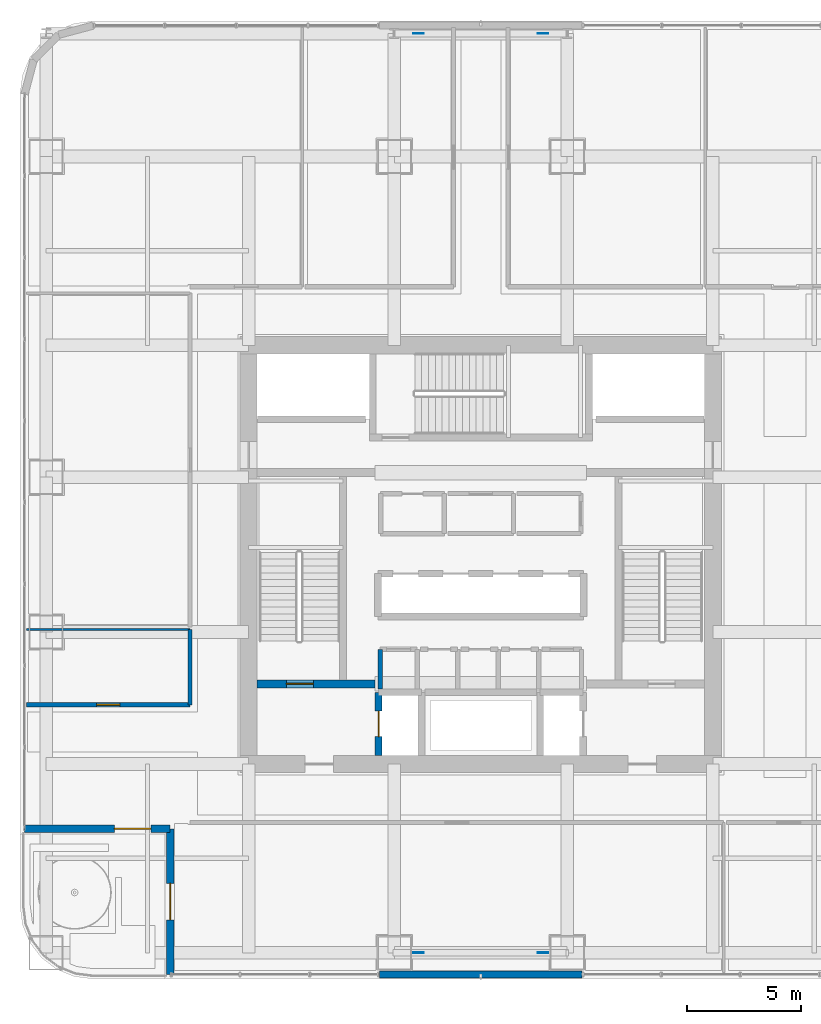
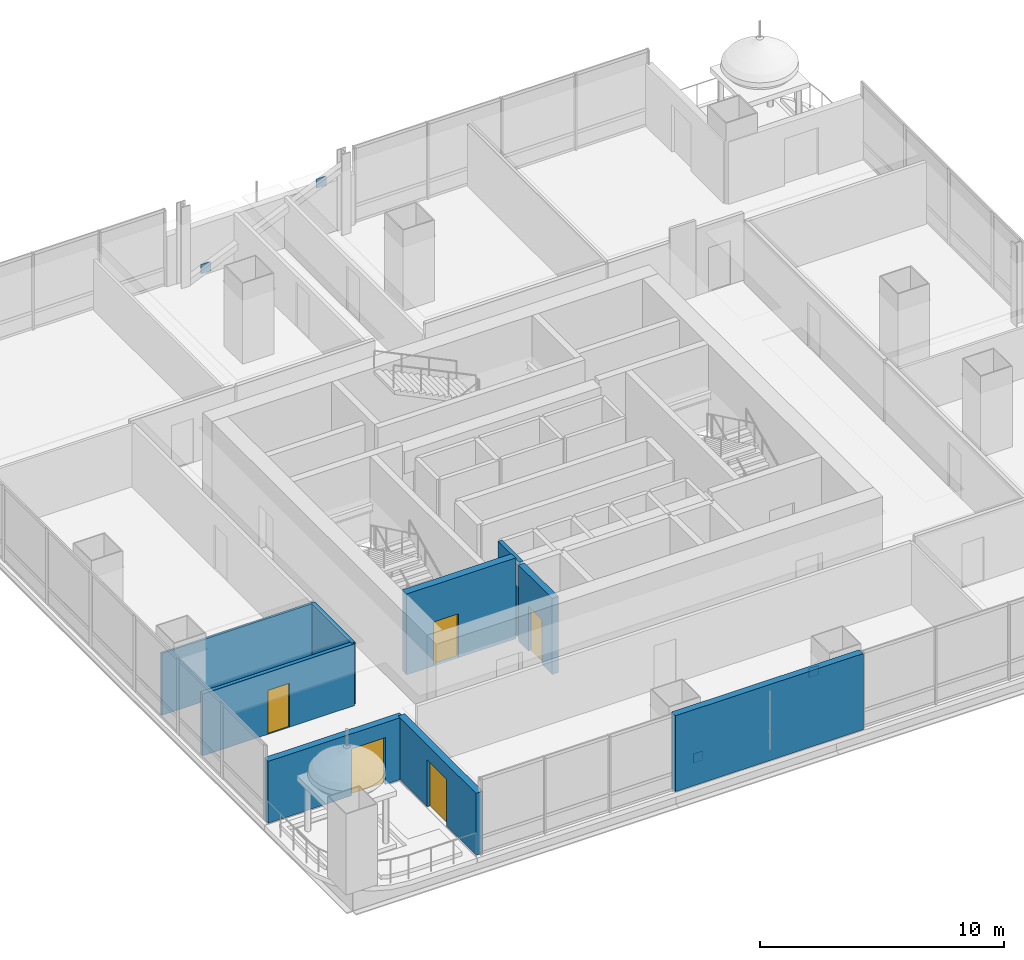
# One storey, part 25 of 37: 9 walls, 5 doors, 4 plates, 5 openings.
"""IFC4 building model written with IfcOpenShell, lengths in metres."""

from ifc_helpers import new_model, si_unit, direction, frame, frame_2d, origin, origin_2d, place, context, subcontext, project, spatial, rectangle, extrude, material, layer, layer_set, type_object, element, fill, save


model = new_model("IFC4")

# Units and contexts
model_context = context("Model", 3, precision=1e-05, world=origin(), true_north=direction((0.0, 1.0)))
body_context = subcontext(model_context, "Body", "Model", "MODEL_VIEW")
ifc_project = project(units=[si_unit("LENGTHUNIT", "METRE"), si_unit("AREAUNIT", "SQUARE_METRE"), si_unit("VOLUMEUNIT", "CUBIC_METRE"), si_unit("PLANEANGLEUNIT", "RADIAN"), si_unit("MASSUNIT", "GRAM", prefix="KILO")], contexts=[model_context])

# Site, building, storey
site_placement = place(None, origin())
site = spatial("IfcSite", under=ifc_project, at=site_placement, CompositionType="ELEMENT")
building_placement = place(site_placement, origin())
building = spatial("IfcBuilding", under=site, at=building_placement, Name="Punatoya Terracotta Tower", CompositionType="ELEMENT")
storey_placement = place(building_placement, frame((0.0, 0.0, 109.199951171875)))
storey = spatial("IfcBuildingStorey", under=building, at=storey_placement, Name="L25", CompositionType="ELEMENT", Elevation=109.199951171875)

# Plates
ifc_material_1 = material(Name="Steel S460", Category="steel")
ifc_layer_1 = layer(ifc_material_1, 0.031982421875)
ifc_layer_set_1 = layer_set([ifc_layer_1], Name="Steel S460")
plate_type = type_object("IfcPlateType", Name="PLT-END-32", PredefinedType="USERDEFINED", material=ifc_layer_set_1)
for number, where, z_axis, x_axis, name in (
    (1, (-2.736083984375, -17.5, 0.250732421875), (0.0, 0.0, 1.0), (1.0, 0.0, 0.0), "L25 Wind Brace S2 End Plate 1"),
    (2, (2.736083984375, -17.5, 2.619384765625), (0.0, 0.0, 1.0), (1.0, 0.0, 0.0), "L25 Wind Brace S2 End Plate 2"),
    (3, (-2.736083984375, 22.89990234375, 0.250732421875), (0.0, 0.0, 1.0), (1.0, 0.0, 0.0), "L25 Wind Brace N2 End Plate 1"),
    (4, (2.736083984375, 22.89990234375, 2.619384765625), (0.0, 0.0, 1.0), (1.0, 0.0, 0.0), "L25 Wind Brace N2 End Plate 2"),
):
    element("IfcPlate", number, at=place(storey_placement, frame(where, z_axis=z_axis, x_axis=x_axis)), inside=storey, type_object=plate_type, Name=name, ObjectType="FLANGE_PLATE", PredefinedType="USERDEFINED", context=body_context, shape_type="SweptSolid", body=[
        extrude(rectangle(XDim=0.4599609375, YDim=0.031982421875, at=origin_2d()), origin(), (0.0, 0.0, 1.0), 0.4599609375),
    ])

# Wall, opening, door
ifc_material_2 = material(Name="Gypsum Fireboard + Steel Stud", Category="steel")
ifc_layer_2 = layer(ifc_material_2, 0.179931640625)
ifc_layer_set_2 = layer_set([ifc_layer_2], Name="Gypsum Fireboard + Steel Stud")
wall_type_1 = type_object("IfcWallType", Name="WL-CORR-180", PredefinedType="PARTITIONING", material=ifc_layer_set_2)
wall_1_placement = place(storey_placement, frame((-12.77001953125, -6.60009765625, 0.0), z_axis=(0.0, 0.0, 1.0), x_axis=(-1.0, 0.0, 0.0)))
wall_1 = element("IfcWall", 5, at=wall_1_placement, inside=storey, type_object=wall_type_1, Name="L25 Open-Plan Client Strategy Boardroom Partition 28", PredefinedType="PARTITIONING", context=body_context, shape_type="SweptSolid", body=[
    extrude(rectangle(XDim=7.199951171875, YDim=0.179931640625, at=frame_2d((3.60009765625, 0.0))), origin(), (0.0, 0.0, 1.0), 3.10400390625),
])
opening_1_placement = place(wall_1_placement, frame((3.090087890625, 0.0, 0.0)))
opening_1 = element("IfcOpeningElement", 6, at=opening_1_placement, cuts=wall_1, Name="Opening MD-01", PredefinedType="OPENING", context=body_context, shape_type="SweptSolid", body=[
    extrude(rectangle(XDim=1.02001953125, YDim=2.199951171875, at=frame_2d((0.510009765625, 1.10009765625))), frame((0.0, 0.099853515625, 0.0), z_axis=(0.0, -1.0, 0.0), x_axis=(1.0, 0.0, 0.0)), (0.0, 0.0, 1.0), 0.199951171875),
])
ifc_material_3 = material(Name="Aluminium + Acoustic Glass Leaf", Category="aluminium")
door_type_1 = type_object("IfcDoorType", Name="DR-MTG-1020", OperationType="NOTDEFINED", PredefinedType="DOOR", material=ifc_material_3)
door_1_placement = place(opening_1_placement, origin())
door_1 = element("IfcDoor", 7, at=door_1_placement, inside=storey, type_object=door_type_1, Name="L25 Open-Plan Client Strategy Boardroom Door", OperationType="SINGLE_SWING_LEFT", OverallHeight=2.199951171875, OverallWidth=1.02001953125, PredefinedType="DOOR", context=body_context, shape_type="SweptSolid", body=[
    extrude(rectangle(XDim=1.02001953125, YDim=2.199951171875, at=frame_2d((0.510009765625, 1.10009765625))), frame((0.0, 0.02490234375, 0.0), z_axis=(0.0, -1.0, 0.0), x_axis=(1.0, 0.0, 0.0)), (0.0, 0.0, 1.0), 0.050048828125),
])
fill(opening_1, door_1)

# Walls
wall_2_placement = place(storey_placement, frame((-12.77001953125, -3.2939453125, 0.0), z_axis=(0.0, 0.0, 1.0), x_axis=(0.0, -1.0, 0.0)))
element("IfcWall", 8, at=wall_2_placement, inside=storey, type_object=wall_type_1, Name="L25 Open-Plan Client Strategy Boardroom Partition 30", PredefinedType="PARTITIONING", context=body_context, shape_type="SweptSolid", body=[
    extrude(rectangle(XDim=3.30615234375, YDim=0.179931640625, at=frame_2d((1.653076171875, 0.0))), origin(), (0.0, 0.0, 1.0), 3.10400390625),
])
ifc_material_4 = material(Name="Precast concrete C40/50", Category="concrete")
ifc_layer_3 = layer(ifc_material_4, 0.320068359375)
ifc_layer_set_3 = layer_set([ifc_layer_3], Name="Precast concrete C40/50")
wall_type_2 = type_object("IfcWallType", Name="WL-EXT-320", PredefinedType="SOLIDWALL", material=ifc_layer_set_3)
wall_3_placement = place(storey_placement, frame((-4.449951171875, -18.449951171875, 0.0), z_axis=(0.0, 0.0, 1.0), x_axis=(1.0, 0.0, 0.0)))
element("IfcWall", 9, at=wall_3_placement, inside=storey, type_object=wall_type_2, Name="L25 Terracotta Braced Facade Wall S1", PredefinedType="SOLIDWALL", context=body_context, shape_type="SweptSolid", body=[
    extrude(rectangle(XDim=8.89990234375, YDim=0.320068359375, at=frame_2d((4.449951171875, 0.0))), origin(), (0.0, 0.0, 1.0), 3.81005859375),
])

# Wall, opening, door
wall_4_placement = place(storey_placement, frame((-20.050048828125, -12.050048828125, 0.0), z_axis=(0.0, 0.0, 1.0), x_axis=(1.0, 0.0, 0.0)))
wall_4 = element("IfcWall", 10, at=wall_4_placement, inside=storey, type_object=wall_type_2, Name="L25 Recessed Corner-Slot Terracotta Wall 13", PredefinedType="SOLIDWALL", context=body_context, shape_type="SweptSolid", body=[
    extrude(rectangle(XDim=6.400146484375, YDim=0.320068359375, at=frame_2d((3.2001953125, 0.0))), origin(), (0.0, 0.0, 1.0), 3.10400390625),
])
opening_2_placement = place(wall_4_placement, frame((3.949951171875, 0.0, 0.0)))
opening_2 = element("IfcOpeningElement", 11, at=opening_2_placement, cuts=wall_4, Name="Opening TD-01", PredefinedType="OPENING", context=body_context, shape_type="SweptSolid", body=[
    extrude(rectangle(XDim=1.60009765625, YDim=2.35009765625, at=frame_2d((0.800048828125, 1.175048828125))), frame((0.0, 0.169921875, 0.0), z_axis=(0.0, -1.0, 0.0), x_axis=(1.0, 0.0, 0.0)), (0.0, 0.0, 1.0), 0.340087890625),
])
ifc_material_5 = material(Name="Aluminium 6063-T6 + Low-E Glass", Category="aluminium")
door_type_2 = type_object("IfcDoorType", Name="DR-TER-1600", OperationType="NOTDEFINED", PredefinedType="DOOR", material=ifc_material_5)
door_2_placement = place(opening_2_placement, origin())
door_2 = element("IfcDoor", 12, at=door_2_placement, inside=storey, type_object=door_type_2, Name="L25 Corner Sky-Court Terrace Access Door 13", OperationType="SINGLE_SWING_RIGHT", OverallHeight=2.35009765625, OverallWidth=1.60009765625, PredefinedType="DOOR", context=body_context, shape_type="SweptSolid", body=[
    extrude(rectangle(XDim=1.60009765625, YDim=2.35009765625, at=frame_2d((0.800048828125, 1.175048828125))), frame((0.0, 0.02490234375, 0.0), z_axis=(0.0, -1.0, 0.0), x_axis=(1.0, 0.0, 0.0)), (0.0, 0.0, 1.0), 0.050048828125),
])
fill(opening_2, door_2)

wall_5_placement = place(storey_placement, frame((-13.64990234375, -12.050048828125, 0.0), z_axis=(0.0, 0.0, 1.0), x_axis=(0.0, -1.0, 0.0)))
wall_5 = element("IfcWall", 13, at=wall_5_placement, inside=storey, type_object=wall_type_2, Name="L25 Recessed Corner-Slot Terracotta Wall 14", PredefinedType="SOLIDWALL", context=body_context, shape_type="SweptSolid", body=[
    extrude(rectangle(XDim=6.39990234375, YDim=0.320068359375, at=frame_2d((3.199951171875, 0.0))), origin(), (0.0, 0.0, 1.0), 3.10400390625),
])
opening_3_placement = place(wall_5_placement, frame((2.39990234375, 0.0, 0.0)))
opening_3 = element("IfcOpeningElement", 14, at=opening_3_placement, cuts=wall_5, Name="Opening TD-01", PredefinedType="OPENING", context=body_context, shape_type="SweptSolid", body=[
    extrude(rectangle(XDim=1.60009765625, YDim=2.35009765625, at=frame_2d((0.800048828125, 1.175048828125))), frame((0.0, 0.169921875, 0.0), z_axis=(0.0, -1.0, 0.0), x_axis=(1.0, 0.0, 0.0)), (0.0, 0.0, 1.0), 0.340087890625),
])
door_3_placement = place(opening_3_placement, origin())
door_3 = element("IfcDoor", 15, at=door_3_placement, inside=storey, type_object=door_type_2, Name="L25 Corner Sky-Court Terrace Access Door 14", OperationType="SINGLE_SWING_LEFT", OverallHeight=2.35009765625, OverallWidth=1.60009765625, PredefinedType="DOOR", context=body_context, shape_type="SweptSolid", body=[
    extrude(rectangle(XDim=1.60009765625, YDim=2.35009765625, at=frame_2d((0.800048828125, 1.175048828125))), frame((0.0, 0.02490234375, 0.0), z_axis=(0.0, -1.0, 0.0), x_axis=(1.0, 0.0, 0.0)), (0.0, 0.0, 1.0), 0.050048828125),
])
fill(opening_3, door_3)

# Walls
ifc_material_6 = material(Name="Aluminium Framed Acoustic Glass Partition", Category="aluminium")
ifc_layer_4 = layer(ifc_material_6, 0.10009765625)
ifc_layer_set_4 = layer_set([ifc_layer_4], Name="Aluminium Framed Acoustic Glass Partition")
wall_type_3 = type_object("IfcWallType", Name="WL-GLZ-100", PredefinedType="PARTITIONING", material=ifc_layer_set_4)
wall_6_placement = place(storey_placement, frame((-19.969970703125, -3.2939453125, 0.0), z_axis=(0.0, 0.0, 1.0), x_axis=(1.0, 0.0, 0.0)))
element("IfcWall", 16, at=wall_6_placement, inside=storey, type_object=wall_type_3, Name="L25 Open-Plan Client Strategy Boardroom Partition 29", PredefinedType="PARTITIONING", context=body_context, shape_type="SweptSolid", body=[
    extrude(rectangle(XDim=7.199951171875, YDim=0.10009765625, at=frame_2d((3.60009765625, 0.0))), origin(), (0.0, 0.0, 1.0), 3.10400390625),
])
ifc_material_7 = material(Name="Concrete C40/50", Category="concrete")
ifc_layer_5 = layer(ifc_material_7, 0.199951171875)
ifc_layer_set_5 = layer_set([ifc_layer_5], Name="Concrete C40/50")
wall_type_4 = type_object("IfcWallType", Name="WL-INT-200", PredefinedType="SOLIDWALL", material=ifc_layer_set_5)
wall_7_placement = place(storey_placement, frame((-4.419921875, -4.159912109375, 0.0), z_axis=(0.0, 0.0, 1.0), x_axis=(0.0, -1.0, 0.0)))
element("IfcWall", 17, at=wall_7_placement, inside=storey, type_object=wall_type_4, Name="L25 Core Tea Pantry Partition 03", PredefinedType="SOLIDWALL", context=body_context, shape_type="SweptSolid", body=[
    extrude(rectangle(XDim=1.739990234375, YDim=0.199951171875, at=frame_2d((0.8701171875, 0.0))), origin(), (0.0, 0.0, 1.0), 3.81005859375),
])

# Wall, opening, door
ifc_layer_6 = layer(ifc_material_7, 0.300048828125)
ifc_layer_set_6 = layer_set([ifc_layer_6], Name="Concrete C40/50")
wall_type_5 = type_object("IfcWallType", Name="WL-SHF-300", PredefinedType="SOLIDWALL", material=ifc_layer_set_6)
wall_8_placement = place(storey_placement, frame((-4.489990234375, -8.820068359375, 0.0), z_axis=(0.0, 0.0, 1.0), x_axis=(0.0, 1.0, 0.0)))
wall_8 = element("IfcWall", 18, at=wall_8_placement, inside=storey, type_object=wall_type_5, Name="L25 FFL-1 Front Hoistway Wall", PredefinedType="SOLIDWALL", context=body_context, shape_type="SweptSolid", body=[
    extrude(rectangle(XDim=2.77001953125, YDim=0.300048828125, at=frame_2d((1.385009765625, 0.0))), origin(), (0.0, 0.0, 1.0), 3.81005859375),
])
opening_4_placement = place(wall_8_placement, frame((0.824951171875, 0.0, 0.0)))
opening_4 = element("IfcOpeningElement", 19, at=opening_4_placement, cuts=wall_8, Name="Opening LD-02", PredefinedType="OPENING", context=body_context, shape_type="SweptSolid", body=[
    extrude(rectangle(XDim=1.1201171875, YDim=2.25, at=frame_2d((0.56005859375, 1.125))), frame((0.0, 0.159912109375, 0.0), z_axis=(0.0, -1.0, 0.0), x_axis=(1.0, 0.0, 0.0)), (0.0, 0.0, 1.0), 0.320068359375),
])
ifc_material_8 = material(Name="Stainless Steel Lift Landing Door", Category="steel")
door_type_3 = type_object("IfcDoorType", Name="DR-LND-1120", OperationType="NOTDEFINED", PredefinedType="DOOR", material=ifc_material_8)
door_4_placement = place(opening_4_placement, origin())
door_4 = element("IfcDoor", 20, at=door_4_placement, inside=storey, type_object=door_type_3, Name="L25 Firefighting Lift FFL-1 Sliding Landing Door", OperationType="SLIDING_TO_LEFT", OverallHeight=2.25, OverallWidth=1.1201171875, PredefinedType="DOOR", context=body_context, shape_type="SweptSolid", body=[
    extrude(rectangle(XDim=1.1201171875, YDim=2.25, at=frame_2d((0.56005859375, 1.125))), frame((0.0, 0.02490234375, 0.0), z_axis=(0.0, -1.0, 0.0), x_axis=(1.0, 0.0, 0.0)), (0.0, 0.0, 1.0), 0.050048828125),
])
fill(opening_4, door_4)

ifc_material_9 = material(Name="Concrete C50/60", Category="concrete")
ifc_layer_7 = layer(ifc_material_9, 0.35009765625)
ifc_layer_set_7 = layer_set([ifc_layer_7], Name="Concrete C50/60")
wall_type_6 = type_object("IfcWallType", Name="WL-SHF-350", PredefinedType="SOLIDWALL", material=ifc_layer_set_7)
wall_9_placement = place(storey_placement, frame((-9.824951171875, -5.679931640625, 0.0), z_axis=(0.0, 0.0, 1.0), x_axis=(1.0, 0.0, 0.0)))
wall_9 = element("IfcWall", 21, at=wall_9_placement, inside=storey, type_object=wall_type_6, Name="L25 Core Web Wall CSW-L", PredefinedType="SOLIDWALL", context=body_context, shape_type="SweptSolid", body=[
    extrude(rectangle(XDim=5.175048828125, YDim=0.35009765625, at=frame_2d((2.58740234375, 0.0))), origin(), (0.0, 0.0, 1.0), 4.050048828125),
])
opening_5_placement = place(wall_9_placement, frame((1.284912109375, 0.0, 0.0)))
opening_5 = element("IfcOpeningElement", 22, at=opening_5_placement, cuts=wall_9, Name="Opening SD-01", PredefinedType="OPENING", context=body_context, shape_type="SweptSolid", body=[
    extrude(rectangle(XDim=1.179931640625, YDim=2.199951171875, at=frame_2d((0.58984375, 1.10009765625))), frame((0.0, 0.18505859375, 0.0), z_axis=(0.0, -1.0, 0.0), x_axis=(1.0, 0.0, 0.0)), (0.0, 0.0, 1.0), 0.3701171875),
])
ifc_material_10 = material(Name="Galvanised Steel Pressurized Stair Fire Door", Category="steel")
door_type_4 = type_object("IfcDoorType", Name="DR-STR-1180", OperationType="NOTDEFINED", PredefinedType="DOOR", material=ifc_material_10)
door_5_placement = place(opening_5_placement, origin())
door_5 = element("IfcDoor", 23, at=door_5_placement, inside=storey, type_object=door_type_4, Name="L25 Stair ST-1 Smokeproof Lobby Fire Door", OperationType="SINGLE_SWING_LEFT", OverallHeight=2.199951171875, OverallWidth=1.179931640625, PredefinedType="DOOR", context=body_context, shape_type="SweptSolid", body=[
    extrude(rectangle(XDim=1.179931640625, YDim=2.199951171875, at=frame_2d((0.58984375, 1.10009765625))), frame((0.0, 0.02490234375, 0.0), z_axis=(0.0, -1.0, 0.0), x_axis=(1.0, 0.0, 0.0)), (0.0, 0.0, 1.0), 0.050048828125),
])
fill(opening_5, door_5)

save(model, "model.ifc")
